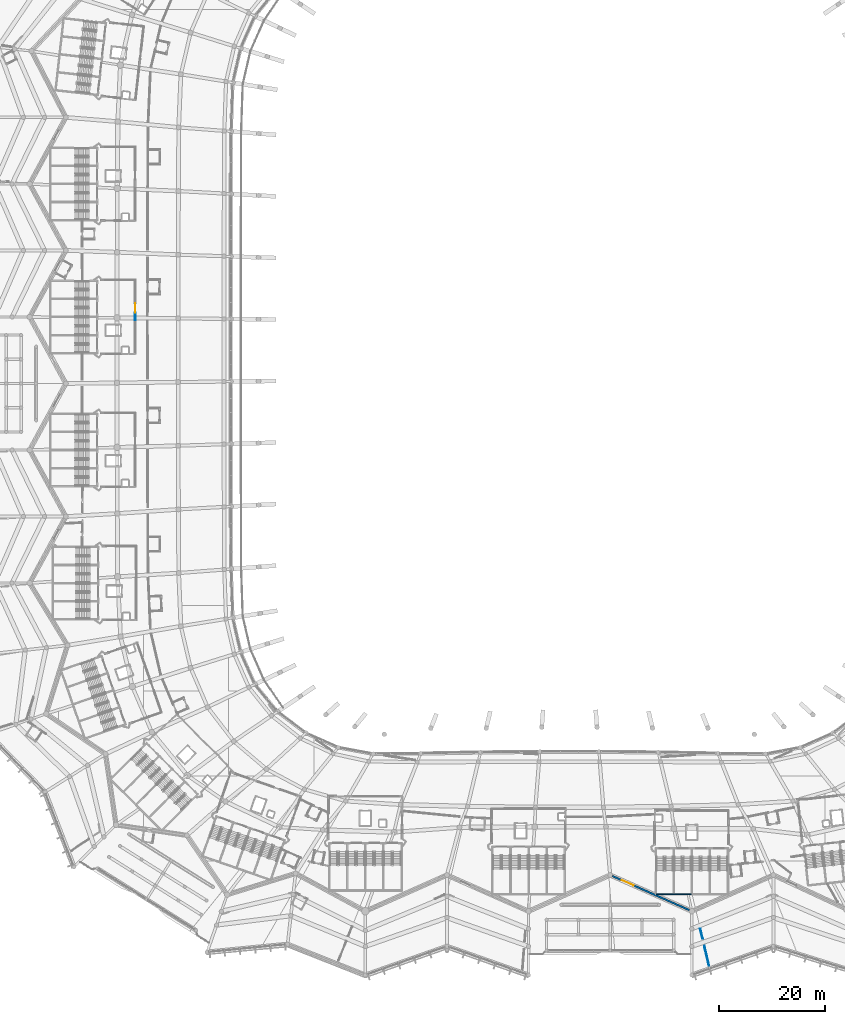
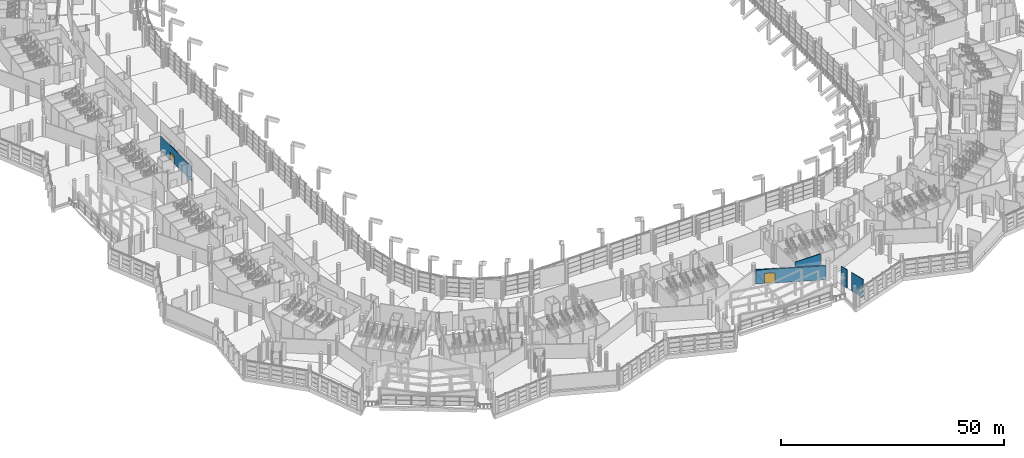
# One storey, part 169 of 271: 5 walls, 2 doors, 2 openings.
"""IFC4 building model written with IfcOpenShell, lengths in metres."""

from ifc_helpers import new_model, si_unit, direction, frame, frame_2d, origin, place, context, subcontext, project, spatial, rectangle, extrude, material, layer, layer_set, type_object, element, fill, save


model = new_model("IFC4")

# Units and contexts
model_context = context("Model", 3, precision=1e-05, world=origin(), true_north=direction((0.0, 1.0)))
body_context = subcontext(model_context, "Body", "Model", "MODEL_VIEW")
ifc_project = project(units=[si_unit("LENGTHUNIT", "METRE"), si_unit("AREAUNIT", "SQUARE_METRE"), si_unit("VOLUMEUNIT", "CUBIC_METRE"), si_unit("PLANEANGLEUNIT", "RADIAN"), si_unit("MASSUNIT", "GRAM", prefix="KILO")], contexts=[model_context])

# Site, building, storey
site_placement = place(None, origin())
site = spatial("IfcSite", under=ifc_project, at=site_placement, CompositionType="ELEMENT")
building_placement = place(site_placement, origin())
building = spatial("IfcBuilding", under=site, at=building_placement, Name="Meseta Stadium", CompositionType="ELEMENT")
storey_placement = place(building_placement, frame((0.0, 0.0, 6.5)))
storey = spatial("IfcBuildingStorey", under=building, at=storey_placement, Name="L01", CompositionType="ELEMENT", Elevation=6.5)

# Walls
ifc_material_1 = material(Name="Concrete C40/50", Category="concrete")
ifc_layer_1 = layer(ifc_material_1, 0.199951171875)
ifc_layer_set_1 = layer_set([ifc_layer_1], Name="Core shaft wall 200")
wall_type_1 = type_object("IfcWallType", Name="Core shaft wall 200", PredefinedType="SHEAR", material=ifc_layer_set_1)
wall_1_placement = place(storey_placement, frame((16.300048828125, -102.199951171875, 0.0), z_axis=(0.0, 0.0, 1.0), x_axis=(1.0, 0.0, 0.0)))
element("IfcWall", 1, at=wall_1_placement, inside=storey, type_object=wall_type_1, Name="Core 25 L01 stair A outer end wall", PredefinedType="SHEAR", context=body_context, shape_type="SweptSolid", body=[
    extrude(rectangle(XDim=6.599853515625, YDim=0.199951171875, at=frame_2d((3.2998046875, 0.0))), origin(), (0.0, 0.0, 1.0), 5.14990234375),
])
ifc_material_2 = material(Name="Masonry blockwork", Category="masonry")
ifc_layer_2 = layer(ifc_material_2, 0.14990234375)
ifc_layer_set_2 = layer_set([ifc_layer_2], Name="Partition 150")
wall_type_2 = type_object("IfcWallType", Name="Partition 150", PredefinedType="PARTITIONING", material=ifc_layer_set_2)
wall_2_placement = place(storey_placement, frame((26.24267578125, -115.619384765625, 0.0), z_axis=(0.0, 0.0, 1.0), x_axis=(-0.231582809657, 0.972815194305, 0.0)))
element("IfcWall", 2, at=wall_2_placement, inside=storey, type_object=wall_type_2, Name="Partition L01 L01-ring24-0", PredefinedType="PARTITIONING", context=body_context, shape_type="SweptSolid", body=[
    extrude(rectangle(XDim=3.7919921875, YDim=0.14990234375, at=frame_2d((1.89599609375, 0.0))), origin(), (0.0, 0.0, 1.0), 5.050048828125),
])
wall_3_placement = place(storey_placement, frame((25.034912109375, -110.547119140625, 0.0), z_axis=(0.0, 0.0, 1.0), x_axis=(-0.231521878941, 0.972829697106, 0.0)))
element("IfcWall", 3, at=wall_3_placement, inside=storey, type_object=wall_type_2, Name="Partition L01 L01-ring24-0", PredefinedType="PARTITIONING", context=body_context, shape_type="SweptSolid", body=[
    extrude(rectangle(XDim=1.89599609375, YDim=0.14990234375, at=frame_2d((0.947998046875, 0.0))), origin(), (0.0, 0.0, 1.0), 5.050048828125),
])

# Wall, opening, door
wall_4_placement = place(storey_placement, frame((-81.554931640625, -0.695068359375, 0.0), z_axis=(0.0, 0.0, 1.0), x_axis=(0.0, 1.0, 0.0)))
wall_4 = element("IfcWall", 4, at=wall_4_placement, inside=storey, type_object=wall_type_2, Name="Stair vestibule wall L01 core 17", PredefinedType="PARTITIONING", context=body_context, shape_type="SweptSolid", body=[
    extrude(rectangle(XDim=13.89013671875, YDim=0.14990234375, at=frame_2d((6.945068359375, 0.0))), origin(), (0.0, 0.0, 1.0), 4.050048828125),
])
opening_1_placement = place(wall_4_placement, frame((7.75, 0.0, 0.0)))
opening_1 = element("IfcOpeningElement", 5, at=opening_1_placement, cuts=wall_4, Name="Opening D785", PredefinedType="OPENING", context=body_context, shape_type="SweptSolid", body=[
    extrude(rectangle(XDim=1.800048828125, YDim=2.10009765625, at=frame_2d((0.89990234375, 1.050048828125))), frame((0.0, 0.0849609375, 0.0), z_axis=(0.0, -1.0, 0.0), x_axis=(1.0, 0.0, 0.0)), (0.0, 0.0, 1.0), 0.169921875),
])
ifc_material_3 = material(Name="Steel", Category="steel")
door_type_1 = type_object("IfcDoorType", Name="Fire double door 1800x2100 EI2 60", OperationType="DOUBLE_DOOR_SINGLE_SWING", PredefinedType="DOOR", material=ifc_material_3)
door_1_placement = place(opening_1_placement, origin())
door_1 = element("IfcDoor", 6, at=door_1_placement, inside=storey, type_object=door_type_1, Name="Stair vestibule door L01 core 17", OperationType="DOUBLE_DOOR_SINGLE_SWING", OverallHeight=2.10009765625, OverallWidth=1.800048828125, PredefinedType="DOOR", context=body_context, shape_type="SweptSolid", body=[
    extrude(rectangle(XDim=1.800048828125, YDim=2.10009765625, at=frame_2d((0.89990234375, 1.050048828125))), frame((0.0, 0.02490234375, 0.0), z_axis=(0.0, -1.0, 0.0), x_axis=(1.0, 0.0, 0.0)), (0.0, 0.0, 1.0), 0.050048828125),
])
fill(opening_1, door_1)

ifc_material_4 = material(Name="White precast concrete C40/50", Category="concrete")
ifc_layer_3 = layer(ifc_material_4, 0.35009765625)
ifc_layer_set_3 = layer_set([ifc_layer_3], Name="Pleated panel wall 350 gate")
wall_type_3 = type_object("IfcWallType", Name="Pleated panel wall 350 gate", PredefinedType="SOLIDWALL", material=ifc_layer_set_3)
wall_5_placement = place(storey_placement, frame((22.54345703125, -105.197509765625, 0.0), z_axis=(0.0, 0.0, 1.0), x_axis=(-0.914138897099, 0.405401130748, 0.0)))
wall_5 = element("IfcWall", 7, at=wall_5_placement, inside=storey, type_object=wall_type_3, Name="Pleated facade panel L01 F47", PredefinedType="SOLIDWALL", context=body_context, shape_type="SweptSolid", body=[
    extrude(rectangle(XDim=15.824462890625, YDim=0.35009765625, at=frame_2d((7.912109375, 0.0))), origin(), (0.0, 0.0, 1.0), 3.85009765625),
])
opening_2_placement = place(wall_5_placement, frame((11.473876953125, 0.0, 0.0)))
opening_2 = element("IfcOpeningElement", 8, at=opening_2_placement, cuts=wall_5, Name="Opening D995", PredefinedType="OPENING", context=body_context, shape_type="SweptSolid", body=[
    extrude(rectangle(XDim=2.39990234375, YDim=2.800048828125, at=frame_2d((1.199951171875, 1.39990234375))), frame((0.0, 0.18505859375, 0.0), z_axis=(0.0, -1.0, 0.0), x_axis=(1.0, 0.0, 0.0)), (0.0, 0.0, 1.0), 0.3701171875),
])
ifc_material_5 = material(Name="Steel", Category="steel")
door_type_2 = type_object("IfcDoorType", Name="Hall door 2400x2800", OperationType="DOUBLE_DOOR_SINGLE_SWING", PredefinedType="DOOR", material=ifc_material_5)
door_2_placement = place(opening_2_placement, origin())
door_2 = element("IfcDoor", 9, at=door_2_placement, inside=storey, type_object=door_type_2, Name="Gate hall door 7", OperationType="DOUBLE_DOOR_SINGLE_SWING", OverallHeight=2.800048828125, OverallWidth=2.39990234375, PredefinedType="DOOR", context=body_context, shape_type="SweptSolid", body=[
    extrude(rectangle(XDim=2.39990234375, YDim=2.800048828125, at=frame_2d((1.199951171875, 1.39990234375))), frame((0.0, 0.02490234375, 0.0), z_axis=(0.0, -1.0, 0.0), x_axis=(1.0, 0.0, 0.0)), (0.0, 0.0, 1.0), 0.050048828125),
])
fill(opening_2, door_2)

save(model, "model.ifc")
